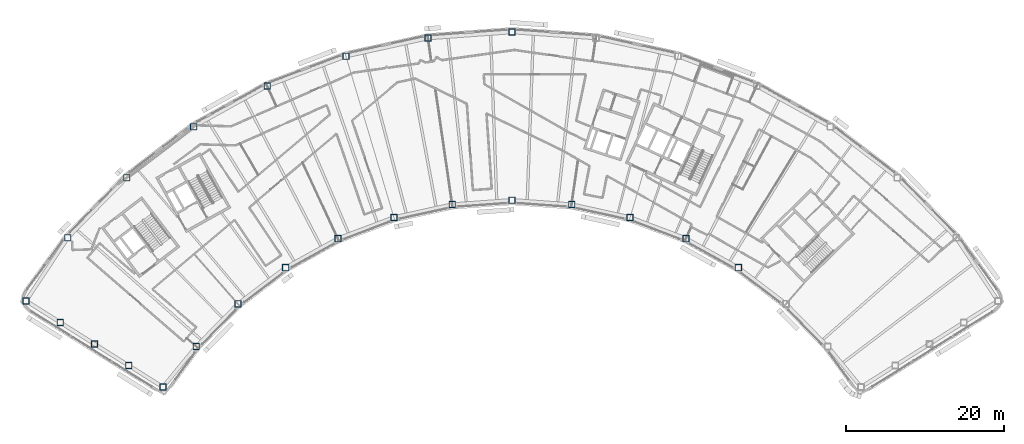
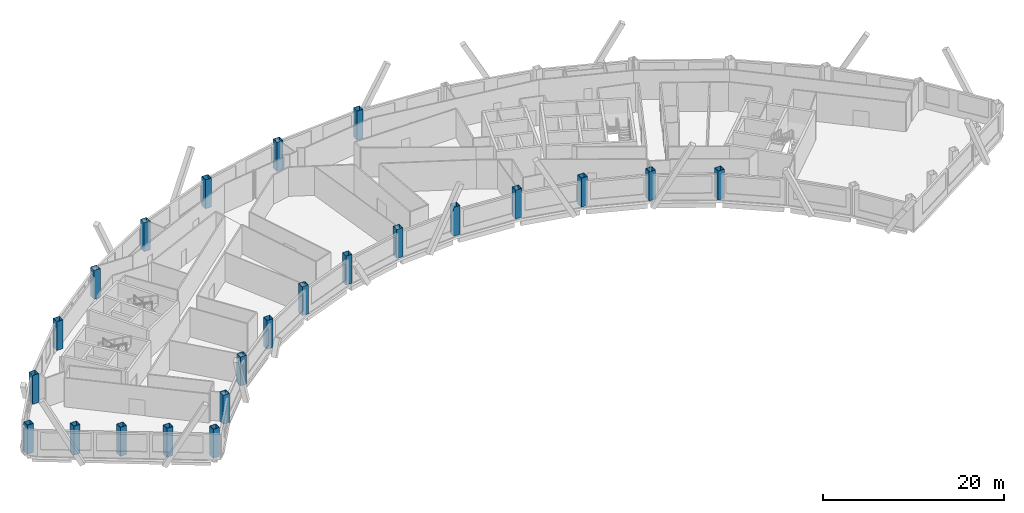
# One storey, part 1 of 14: 23 columns.
"""IFC4 building model written with IfcOpenShell, lengths in metres."""

from ifc_helpers import new_model, si_unit, direction, frame, origin, origin_2d, place, context, subcontext, project, spatial, hollow_rectangle, extrude, material, material_profile, profile_set, type_object, element, save


model = new_model("IFC4")

# Units and contexts
model_context = context("Model", 3, precision=1e-05, world=origin(), true_north=direction((0.0, 1.0)))
body_context = subcontext(model_context, "Body", "Model", "MODEL_VIEW")
ifc_project = project(units=[si_unit("LENGTHUNIT", "METRE"), si_unit("AREAUNIT", "SQUARE_METRE"), si_unit("VOLUMEUNIT", "CUBIC_METRE"), si_unit("PLANEANGLEUNIT", "RADIAN"), si_unit("MASSUNIT", "GRAM", prefix="KILO")], contexts=[model_context])

# Site, building, storey
site_placement = place(None, origin())
site = spatial("IfcSite", under=ifc_project, at=site_placement, CompositionType="ELEMENT")
building_placement = place(site_placement, origin())
building = spatial("IfcBuilding", under=site, at=building_placement, Name="Tuul Gate Civic Tower", CompositionType="ELEMENT")
storey_placement = place(building_placement, frame((0.0, 0.0, 256.800048828125)))
storey = spatial("IfcBuildingStorey", under=building, at=storey_placement, Name="Level 58", CompositionType="ELEMENT", Elevation=256.800048828125)

# Columns
ifc_material = material(Name="Steel S355", Category="steel")
ifc_material_profile = material_profile(ifc_material, hollow_rectangle(XDim=0.800048828125, YDim=0.800048828125, WallThickness=0.031982421875, at=origin_2d()), Name="BOX800x800x32")
ifc_profile_set = profile_set([ifc_material_profile], Name="Steel S355")
column_type = type_object("IfcColumnType", Name="STR-COLUMN-BOX800x800x32", PredefinedType="COLUMN", material=ifc_profile_set)
for number, where, z_axis, x_axis, name in (
    (1, (11.031005859375, 13.47412109375, 0.0), (0.0, 0.0, 1.0), (1.0, 0.0, 0.0), "Column"),
    (2, (0.381103515625, 12.702880859375, 0.0), (0.0, 0.0, 1.0), (1.0, 0.0, 0.0), "Column"),
    (3, (-10.0458984375, 10.405029296875, 0.0), (0.0, 0.0, 1.0), (1.0, 0.0, 0.0), "Column"),
    (4, (-20.032958984375, 6.6279296875, 0.0), (0.0, 0.0, 1.0), (1.0, 0.0, 0.0), "Column"),
    (5, (-29.37109375, 1.451904296875, 0.0), (0.0, 0.0, 1.0), (1.0, 0.0, 0.0), "Column"),
    (6, (-37.866943359375, -5.01708984375, 0.0), (0.0, 0.0, 1.0), (1.0, 0.0, 0.0), "Column"),
    (7, (-45.341064453125, -12.64208984375, 0.0), (0.0, 0.0, 1.0), (1.0, 0.0, 0.0), "Column"),
    (8, (-50.639892578125, -20.654052734375, 0.0), (0.0, 0.0, 1.0), (1.0, 0.0, 0.0), "Column"),
    (9, (-46.298095703125, -23.388916015625, 0.0), (0.0, 0.0, 1.0), (1.0, 0.0, 0.0), "Column"),
    (10, (-41.955078125, -26.123046875, 0.0), (0.0, 0.0, 1.0), (1.0, 0.0, 0.0), "Column"),
    (11, (-37.613037109375, -28.85791015625, 0.0), (0.0, 0.0, 1.0), (1.0, 0.0, 0.0), "Column"),
    (12, (-33.27001953125, -31.592041015625, 0.0), (0.0, 0.0, 1.0), (1.0, 0.0, 0.0), "Column"),
    (13, (-29.050048828125, -26.449951171875, 0.0), (0.0, 0.0, 1.0), (1.0, 0.0, 0.0), "Column"),
    (14, (-23.736083984375, -21.029052734375, 0.0), (0.0, 0.0, 1.0), (1.0, 0.0, 0.0), "Column"),
    (15, (-17.696044921875, -16.429931640625, 0.0), (0.0, 0.0, 1.0), (1.0, 0.0, 0.0), "Column"),
    (16, (-11.055908203125, -12.7490234375, 0.0), (0.0, 0.0, 1.0), (1.0, 0.0, 0.0), "Column"),
    (17, (-3.955078125, -10.06396484375, 0.0), (0.0, 0.0, 1.0), (1.0, 0.0, 0.0), "Column"),
    (18, (3.458984375, -8.429931640625, 0.0), (0.0, 0.0, 1.0), (1.0, 0.0, 0.0), "Column"),
    (19, (11.031005859375, -7.882080078125, 0.0), (0.0, 0.0, 1.0), (1.0, 0.0, 0.0), "Column"),
    (20, (18.60302734375, -8.429931640625, 0.0), (0.0, 0.0, 1.0), (1.0, 0.0, 0.0), "Column"),
    (21, (26.01708984375, -10.06396484375, 0.0), (0.0, 0.0, 1.0), (1.0, 0.0, 0.0), "Column"),
    (22, (33.117919921875, -12.7490234375, 0.0), (0.0, 0.0, 1.0), (1.0, 0.0, 0.0), "Column"),
    (23, (39.757080078125, -16.429931640625, 0.0), (0.0, 0.0, 1.0), (1.0, 0.0, 0.0), "Column"),
):
    element("IfcColumn", number, at=place(storey_placement, frame(where, z_axis=z_axis, x_axis=x_axis)), inside=storey, type_object=column_type, Name=name, PredefinedType="COLUMN", context=body_context, shape_type="SweptSolid", body=[
        extrude(hollow_rectangle(XDim=0.800048828125, YDim=0.800048828125, WallThickness=0.031982421875, at=origin_2d()), origin(), (0.0, 0.0, 1.0), 3.89990234375),
    ])

save(model, "model.ifc")
